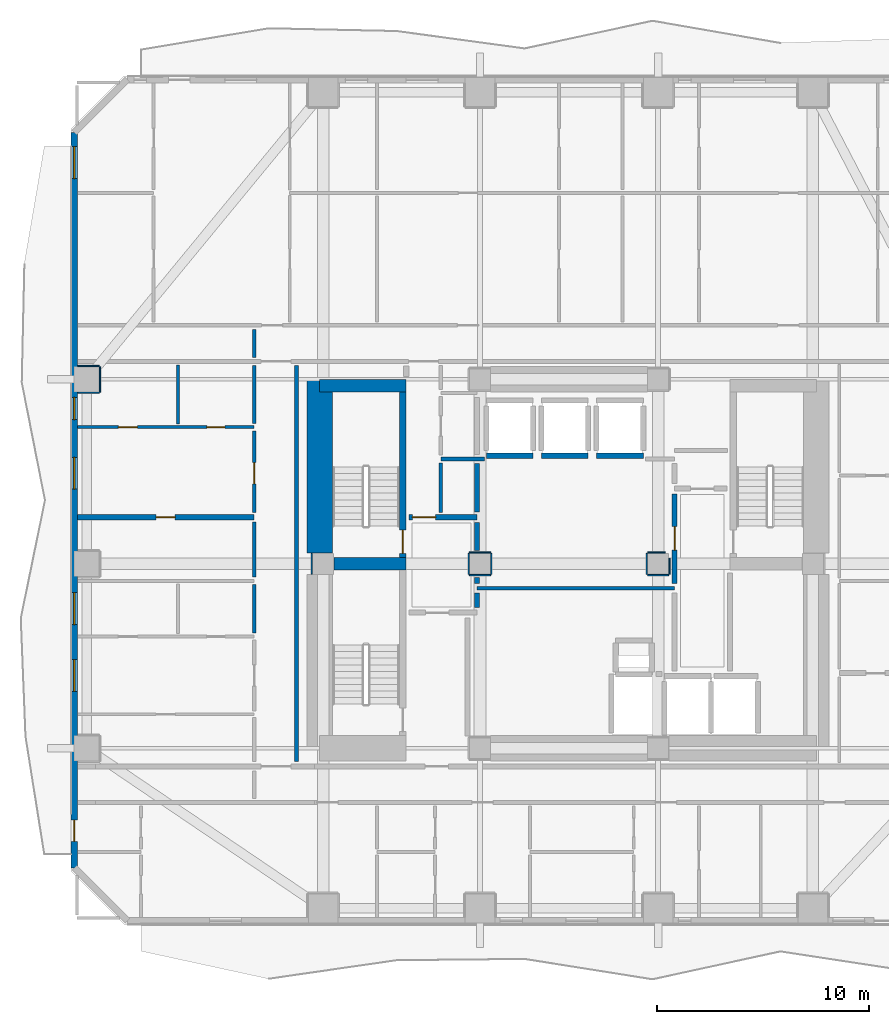
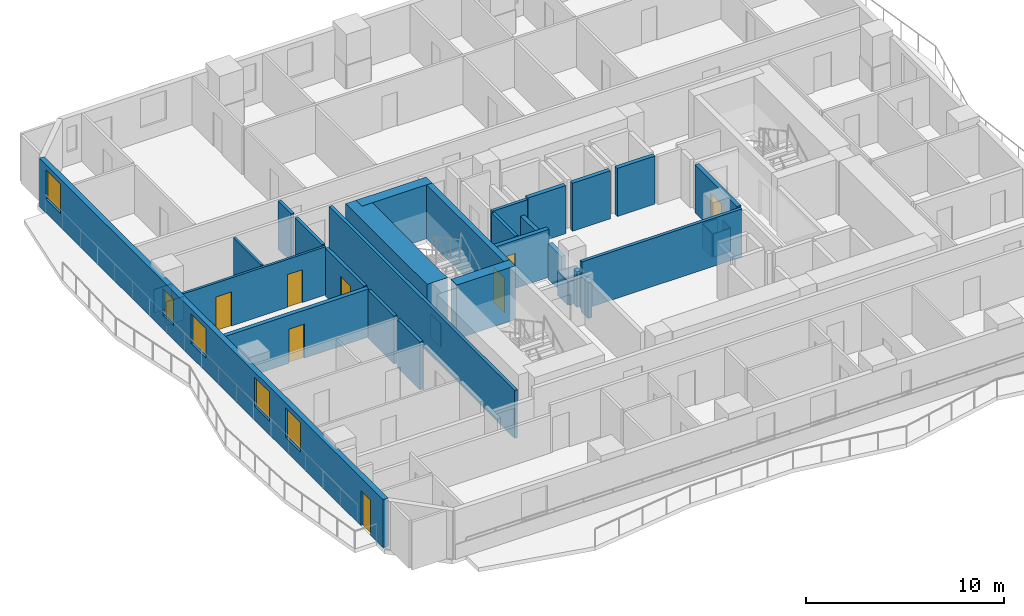
# One storey, part 4 of 12: 38 walls, 8 doors, 5 windows, 13 openings.
"""IFC4 building model written with IfcOpenShell, lengths in metres."""

from ifc_helpers import new_model, si_unit, direction, frame, frame_2d, origin, place, context, subcontext, project, spatial, rectangle, extrude, material, layer, layer_set, type_object, element, fill, save


model = new_model("IFC4")

# Units and contexts
model_context = context("Model", 3, precision=1e-05, world=origin(), true_north=direction((0.0, 1.0)))
body_context = subcontext(model_context, "Body", "Model", "MODEL_VIEW")
ifc_project = project(units=[si_unit("LENGTHUNIT", "METRE"), si_unit("AREAUNIT", "SQUARE_METRE"), si_unit("VOLUMEUNIT", "CUBIC_METRE"), si_unit("PLANEANGLEUNIT", "RADIAN"), si_unit("MASSUNIT", "GRAM", prefix="KILO")], contexts=[model_context])

# Site, building, storey
site_placement = place(None, origin())
site = spatial("IfcSite", under=ifc_project, at=site_placement, CompositionType="ELEMENT")
building_placement = place(site_placement, origin())
building = spatial("IfcBuilding", under=site, at=building_placement, Name="Solanera Arch Residences", CompositionType="ELEMENT")
storey_placement = place(building_placement, frame((0.0, 0.0, 85.080078125)))
storey = spatial("IfcBuildingStorey", under=building, at=storey_placement, Name="L24", CompositionType="ELEMENT", Elevation=85.080078125)

# Walls
ifc_material_1 = material(Name="Fire-Rated Gypsum Stud Partition", Category="gypsum")
ifc_layer_1 = layer(ifc_material_1, 0.06005859375)
ifc_layer_set_1 = layer_set([ifc_layer_1], Name="Fire-Rated Gypsum Stud Partition")
wall_type_1 = type_object("IfcWallType", Name="Column Acoustic Furring Wall 60", PredefinedType="PARTITIONING", material=ifc_layer_set_1)
wall_1_placement = place(storey_placement, frame((12.867919921875, 30.2099609375, 0.0), z_axis=(0.0, 0.0, 1.0), x_axis=(0.0, 1.0, 0.0)))
element("IfcWall", 1, at=wall_1_placement, inside=storey, type_object=wall_type_1, Name="L24 Column Furring 5W", PredefinedType="PARTITIONING", context=body_context, shape_type="SweptSolid", body=[
    extrude(rectangle(XDim=0.97998046875, YDim=0.06005859375, at=frame_2d((0.489990234375, 0.0))), origin(), (0.0, 0.0, 1.0), 1.449951171875),
])
for number, where, z_axis, x_axis, name in (
    (2, (20.300048828125, 30.16796875, 0.0), (0.0, 0.0, 1.0), (1.0, 0.0, 0.0), "L24 Column Furring 7S"),
    (3, (20.300048828125, 31.23193359375, 0.0), (0.0, 0.0, 1.0), (1.0, 0.0, 0.0), "L24 Column Furring 7N"),
    (4, (20.26806640625, 30.199951171875, 0.0), (0.0, 0.0, 1.0), (0.0, 1.0, 0.0), "L24 Column Furring 7W"),
    (5, (21.33203125, 30.199951171875, 0.0), (0.0, 0.0, 1.0), (0.0, 1.0, 0.0), "L24 Column Furring 7E"),
    (6, (28.699951171875, 30.16796875, 0.0), (0.0, 0.0, 1.0), (1.0, 0.0, 0.0), "L24 Column Furring 8S"),
):
    element("IfcWall", number, at=place(storey_placement, frame(where, z_axis=z_axis, x_axis=x_axis)), inside=storey, type_object=wall_type_1, Name=name, PredefinedType="PARTITIONING", context=body_context, shape_type="SweptSolid", body=[
        extrude(rectangle(XDim=1.0, YDim=0.06005859375, at=frame_2d((0.5, 0.0))), origin(), (0.0, 0.0, 1.0), 1.449951171875),
    ])
wall_2_placement = place(storey_placement, frame((28.699951171875, 31.23193359375, 0.0), z_axis=(0.0, 0.0, 1.0), x_axis=(1.0, 0.0, 0.0)))
element("IfcWall", 7, at=wall_2_placement, inside=storey, type_object=wall_type_1, Name="L24 Column Furring 8N", PredefinedType="PARTITIONING", context=body_context, shape_type="SweptSolid", body=[
    extrude(rectangle(XDim=0.841064453125, YDim=0.06005859375, at=frame_2d((0.42041015625, 0.0))), origin(), (0.0, 0.0, 1.0), 1.449951171875),
])
wall_3_placement = place(storey_placement, frame((28.66796875, 30.199951171875, 0.0), z_axis=(0.0, 0.0, 1.0), x_axis=(0.0, 1.0, 0.0)))
element("IfcWall", 8, at=wall_3_placement, inside=storey, type_object=wall_type_1, Name="L24 Column Furring 8W", PredefinedType="PARTITIONING", context=body_context, shape_type="SweptSolid", body=[
    extrude(rectangle(XDim=1.0, YDim=0.06005859375, at=frame_2d((0.5, 0.0))), origin(), (0.0, 0.0, 1.0), 1.449951171875),
])
wall_4_placement = place(storey_placement, frame((29.73193359375, 30.199951171875, 0.0), z_axis=(0.0, 0.0, 1.0), x_axis=(0.0, 1.0, 0.0)))
element("IfcWall", 9, at=wall_4_placement, inside=storey, type_object=wall_type_1, Name="L24 Column Furring 8E", PredefinedType="PARTITIONING", context=body_context, shape_type="SweptSolid", body=[
    extrude(rectangle(XDim=0.77197265625, YDim=0.06005859375, at=frame_2d((0.385986328125, 0.0))), origin(), (0.0, 0.0, 1.0), 1.449951171875),
])
for number, where, z_axis, x_axis, name in (
    (10, (1.830078125, 38.76806640625, 0.0), (0.0, 0.0, 1.0), (1.0, 0.0, 0.0), "L24 Column Furring 21S"),
    (11, (1.830078125, 40.031982421875, 0.0), (0.0, 0.0, 1.0), (1.0, 0.0, 0.0), "L24 Column Furring 21N"),
):
    element("IfcWall", number, at=place(storey_placement, frame(where, z_axis=z_axis, x_axis=x_axis)), inside=storey, type_object=wall_type_1, Name=name, PredefinedType="PARTITIONING", context=body_context, shape_type="SweptSolid", body=[
        extrude(rectangle(XDim=1.02001953125, YDim=0.06005859375, at=frame_2d((0.510009765625, 0.0))), origin(), (0.0, 0.0, 1.0), 1.449951171875),
    ])
wall_5_placement = place(storey_placement, frame((2.882080078125, 38.800048828125, 0.0), z_axis=(0.0, 0.0, 1.0), x_axis=(0.0, 1.0, 0.0)))
element("IfcWall", 12, at=wall_5_placement, inside=storey, type_object=wall_type_1, Name="L24 Column Furring 21E", PredefinedType="PARTITIONING", context=body_context, shape_type="SweptSolid", body=[
    extrude(rectangle(XDim=1.199951171875, YDim=0.06005859375, at=frame_2d((0.60009765625, 0.0))), origin(), (0.0, 0.0, 1.0), 1.449951171875),
])
ifc_material_2 = material(Name="Concrete C55/67 (f'c = 60 MPa)", Category="concrete")
ifc_layer_2 = layer(ifc_material_2, 1.199951171875)
ifc_layer_set_2 = layer_set([ifc_layer_2], Name="Concrete C55/67 (f'c = 60 MPa)")
wall_type_2 = type_object("IfcWallType", Name="Core Shear Wall CW-1200", PredefinedType="SHEAR", material=ifc_layer_set_2)
wall_6_placement = place(storey_placement, frame((13.239990234375, 31.205078125, 0.0), z_axis=(0.0, 0.0, 1.0), x_axis=(0.0, 1.0, 0.0)))
element("IfcWall", 13, at=wall_6_placement, inside=storey, type_object=wall_type_2, Name="L24 West Core North Shear Wall", PredefinedType="SHEAR", context=body_context, shape_type="SweptSolid", body=[
    extrude(rectangle(XDim=8.19482421875, YDim=1.199951171875, at=frame_2d((4.097412109375, 0.0))), origin(), (0.0, 0.0, 1.0), 3.31982421875),
])

# Wall, opening, door
ifc_material_3 = material(Name="Concrete C40/50 (f'c = 45 MPa)", Category="concrete")
ifc_layer_3 = layer(ifc_material_3, 0.320068359375)
ifc_layer_set_3 = layer_set([ifc_layer_3], Name="Concrete C40/50 (f'c = 45 MPa)")
wall_type_3 = type_object("IfcWallType", Name="Core Shear Wall CW-320", PredefinedType="SHEAR", material=ifc_layer_set_3)
wall_7_placement = place(storey_placement, frame((17.159912109375, 31.0, 0.0), z_axis=(0.0, 0.0, 1.0), x_axis=(0.0, 1.0, 0.0)))
wall_7 = element("IfcWall", 14, at=wall_7_placement, inside=storey, type_object=wall_type_3, Name="L24 Stair ST-T1 East Shear Wall", PredefinedType="SHEAR", context=body_context, shape_type="SweptSolid", body=[
    extrude(rectangle(XDim=7.800048828125, YDim=0.320068359375, at=frame_2d((3.89990234375, 0.0))), origin(), (0.0, 0.0, 1.0), 3.31982421875),
])
opening_1_placement = place(wall_7_placement, frame((0.18994140625, 0.0, 0.0)))
opening_1 = element("IfcOpeningElement", 15, at=opening_1_placement, cuts=wall_7, Name="Opening DF-01", PredefinedType="OPENING", context=body_context, shape_type="SweptSolid", body=[
    extrude(rectangle(XDim=1.10009765625, YDim=2.14990234375, at=frame_2d((0.550048828125, 1.074951171875))), frame((0.0, 0.169921875, 0.0), z_axis=(0.0, -1.0, 0.0), x_axis=(1.0, 0.0, 0.0)), (0.0, 0.0, 1.0), 0.3401),
])
ifc_material_4 = material(Name="Fire-Rated Architectural Hardwood", Category="wood")
door_type_1 = type_object("IfcDoorType", Name="Stair Exit Fire Door DF-01", OperationType="NOTDEFINED", PredefinedType="DOOR", material=ifc_material_4)
door_1_placement = place(opening_1_placement, origin())
door_1 = element("IfcDoor", 16, at=door_1_placement, inside=storey, type_object=door_type_1, Name="DR-L24-STAIR-ST-T1", OperationType="SINGLE_SWING_LEFT", OverallHeight=2.14990234375, OverallWidth=1.10009765625, PredefinedType="DOOR", context=body_context, shape_type="SweptSolid", body=[
    extrude(rectangle(XDim=1.10009765625, YDim=2.14990234375, at=frame_2d((0.550048828125, 1.074951171875))), frame((0.0, 0.02490234375, 0.0), z_axis=(0.0, -1.0, 0.0), x_axis=(1.0, 0.0, 0.0)), (0.0, 0.0, 1.0), 0.050048828125),
])
fill(opening_1, door_1)

# Walls
ifc_material_5 = material(Name="Concrete C40/50 (f'c = 45 MPa)", Category="concrete")
ifc_layer_4 = layer(ifc_material_5, 0.60009765625)
ifc_layer_set_4 = layer_set([ifc_layer_4], Name="Concrete C40/50 (f'c = 45 MPa)")
wall_type_4 = type_object("IfcWallType", Name="Core Shear Wall CW-600", PredefinedType="SHEAR", material=ifc_layer_set_4)
wall_8_placement = place(storey_placement, frame((13.239990234375, 39.10009765625, 0.0), z_axis=(0.0, 0.0, 1.0), x_axis=(1.0, 0.0, 0.0)))
element("IfcWall", 17, at=wall_8_placement, inside=storey, type_object=wall_type_4, Name="L24 North-West Core Shear Wall", PredefinedType="SHEAR", context=body_context, shape_type="SweptSolid", body=[
    extrude(rectangle(XDim=4.080078125, YDim=0.60009765625, at=frame_2d((2.0400390625, 0.0))), origin(), (0.0, 0.0, 1.0), 3.31982421875),
])
wall_9_placement = place(storey_placement, frame((13.905029296875, 30.699951171875, 0.0), z_axis=(0.0, 0.0, 1.0), x_axis=(1.0, 0.0, 0.0)))
element("IfcWall", 18, at=wall_9_placement, inside=storey, type_object=wall_type_4, Name="L24 West Stair Divider Shear Wall", PredefinedType="SHEAR", context=body_context, shape_type="SweptSolid", body=[
    extrude(rectangle(XDim=3.4150390625, YDim=0.60009765625, at=frame_2d((1.70751953125, 0.0))), origin(), (0.0, 0.0, 1.0), 3.31982421875),
])
ifc_material_6 = material(Name="Autoclaved Aerated Concrete Blockwork", Category="masonry")
ifc_layer_5 = layer(ifc_material_6, 0.179931640625)
ifc_layer_set_5 = layer_set([ifc_layer_5], Name="Autoclaved Aerated Concrete Blockwork")
wall_type_5 = type_object("IfcWallType", Name="Corridor Fire Partition 180", PredefinedType="PARTITIONING", material=ifc_layer_set_5)
wall_10_placement = place(storey_placement, frame((20.64990234375, 29.550048828125, 0.0), z_axis=(0.0, 0.0, 1.0), x_axis=(1.0, 0.0, 0.0)))
element("IfcWall", 19, at=wall_10_placement, inside=storey, type_object=wall_type_5, Name="L24 Interior Partition H9", PredefinedType="PARTITIONING", context=body_context, shape_type="SweptSolid", body=[
    extrude(rectangle(XDim=9.3251953125, YDim=0.179931640625, at=frame_2d((4.66259765625, 0.0))), origin(), (0.0, 0.0, 1.0), 2.9599609375),
])
wall_11_placement = place(storey_placement, frame((18.949951171875, 35.64990234375, 0.0), z_axis=(0.0, 0.0, 1.0), x_axis=(1.0, 0.0, 0.0)))
element("IfcWall", 20, at=wall_11_placement, inside=storey, type_object=wall_type_5, Name="L24 Interior Partition H10 1", PredefinedType="PARTITIONING", context=body_context, shape_type="SweptSolid", body=[
    extrude(rectangle(XDim=2.05712890625, YDim=0.179931640625, at=frame_2d((1.028564453125, 0.0))), origin(), (0.0, 0.0, 1.0), 2.9599609375),
])
wall_12_placement = place(storey_placement, frame((10.14990234375, 27.443115234375, 0.0), z_axis=(0.0, 0.0, 1.0), x_axis=(0.0, 1.0, 0.0)))
element("IfcWall", 21, at=wall_12_placement, inside=storey, type_object=wall_type_5, Name="L24 Interior Partition V6 4", PredefinedType="PARTITIONING", context=body_context, shape_type="SweptSolid", body=[
    extrude(rectangle(XDim=2.288818359375, YDim=0.179931640625, at=frame_2d((1.14453125, 0.0))), origin(), (0.0, 0.0, 1.0), 2.9599609375),
])
wall_13_placement = place(storey_placement, frame((10.14990234375, 30.068115234375, 0.0), z_axis=(0.0, 0.0, 1.0), x_axis=(0.0, 1.0, 0.0)))
element("IfcWall", 22, at=wall_13_placement, inside=storey, type_object=wall_type_5, Name="L24 Interior Partition V6 5", PredefinedType="PARTITIONING", context=body_context, shape_type="SweptSolid", body=[
    extrude(rectangle(XDim=2.61376953125, YDim=0.179931640625, at=frame_2d((1.306884765625, 0.0))), origin(), (0.0, 0.0, 1.0), 2.9599609375),
])

# Wall, opening, door
wall_14_placement = place(storey_placement, frame((10.14990234375, 33.117919921875, 0.0), z_axis=(0.0, 0.0, 1.0), x_axis=(0.0, 1.0, 0.0)))
wall_14 = element("IfcWall", 23, at=wall_14_placement, inside=storey, type_object=wall_type_5, Name="L24 Interior Partition V6 6", PredefinedType="PARTITIONING", context=body_context, shape_type="SweptSolid", body=[
    extrude(rectangle(XDim=3.859130859375, YDim=0.179931640625, at=frame_2d((1.9296875, 0.0))), origin(), (0.0, 0.0, 1.0), 2.9599609375),
])
opening_2_placement = place(wall_14_placement, frame((1.35302734375, 0.0, 0.0)))
opening_2 = element("IfcOpeningElement", 24, at=opening_2_placement, cuts=wall_14, Name="Opening DI-01", PredefinedType="OPENING", context=body_context, shape_type="SweptSolid", body=[
    extrude(rectangle(XDim=1.0, YDim=2.14990234375, at=frame_2d((0.5, 1.074951171875))), frame((0.0, 0.10009765625, 0.0), z_axis=(0.0, -1.0, 0.0), x_axis=(1.0, 0.0, 0.0)), (0.0, 0.0, 1.0), 0.1999),
])
ifc_material_7 = material(Name="Fire-Rated Architectural Hardwood", Category="wood")
door_type_2 = type_object("IfcDoorType", Name="Unit Entrance Fire Door DI-01", OperationType="NOTDEFINED", PredefinedType="DOOR", material=ifc_material_7)
door_2_placement = place(opening_2_placement, origin())
door_2 = element("IfcDoor", 25, at=door_2_placement, inside=storey, type_object=door_type_2, Name="DR-L24-IN-045", OperationType="SINGLE_SWING_LEFT", OverallHeight=2.14990234375, OverallWidth=1.0, PredefinedType="DOOR", context=body_context, shape_type="SweptSolid", body=[
    extrude(rectangle(XDim=1.0, YDim=2.14990234375, at=frame_2d((0.5, 1.074951171875))), frame((0.0, 0.02490234375, 0.0), z_axis=(0.0, -1.0, 0.0), x_axis=(1.0, 0.0, 0.0)), (0.0, 0.0, 1.0), 0.050048828125),
])
fill(opening_2, door_2)

# Walls
wall_15_placement = place(storey_placement, frame((10.14990234375, 37.31298828125, 0.0), z_axis=(0.0, 0.0, 1.0), x_axis=(0.0, 1.0, 0.0)))
element("IfcWall", 26, at=wall_15_placement, inside=storey, type_object=wall_type_5, Name="L24 Interior Partition V6 7", PredefinedType="PARTITIONING", context=body_context, shape_type="SweptSolid", body=[
    extrude(rectangle(XDim=2.7490234375, YDim=0.179931640625, at=frame_2d((1.37451171875, 0.0))), origin(), (0.0, 0.0, 1.0), 2.9599609375),
])
wall_16_placement = place(storey_placement, frame((10.14990234375, 40.43798828125, 0.0), z_axis=(0.0, 0.0, 1.0), x_axis=(0.0, 1.0, 0.0)))
element("IfcWall", 27, at=wall_16_placement, inside=storey, type_object=wall_type_5, Name="L24 Interior Partition V6 8", PredefinedType="PARTITIONING", context=body_context, shape_type="SweptSolid", body=[
    extrude(rectangle(XDim=1.323974609375, YDim=0.179931640625, at=frame_2d((0.662109375, 0.0))), origin(), (0.0, 0.0, 1.0), 2.9599609375),
])
wall_17_placement = place(storey_placement, frame((12.14990234375, 21.367919921875, 0.0), z_axis=(0.0, 0.0, 1.0), x_axis=(0.0, 1.0, 0.0)))
element("IfcWall", 28, at=wall_17_placement, inside=storey, type_object=wall_type_5, Name="L24 Interior Partition V7", PredefinedType="PARTITIONING", context=body_context, shape_type="SweptSolid", body=[
    extrude(rectangle(XDim=18.694091796875, YDim=0.179931640625, at=frame_2d((9.34716796875, 0.0))), origin(), (0.0, 0.0, 1.0), 2.9599609375),
])
wall_18_placement = place(storey_placement, frame((18.949951171875, 33.117919921875, 0.0), z_axis=(0.0, 0.0, 1.0), x_axis=(0.0, 1.0, 0.0)))
element("IfcWall", 29, at=wall_18_placement, inside=storey, type_object=wall_type_5, Name="L24 Interior Partition V8 1", PredefinedType="PARTITIONING", context=body_context, shape_type="SweptSolid", body=[
    extrude(rectangle(XDim=2.343994140625, YDim=0.179931640625, at=frame_2d((1.171875, 0.0))), origin(), (0.0, 0.0, 1.0), 2.9599609375),
])

# Wall, openings, door, windows
ifc_material_8 = material(Name="Precast Concrete C35/45", Category="concrete")
ifc_layer_6 = layer(ifc_material_8, 0.300048828125)
ifc_layer_set_6 = layer_set([ifc_layer_6], Name="Precast Concrete C35/45")
wall_type_6 = type_object("IfcWallType", Name="Exterior Wall Precast Masonry-Frame 300", PredefinedType="STANDARD", material=ifc_layer_set_6)
wall_19_placement = place(storey_placement, frame((1.6650390625, 16.364990234375, 0.0), z_axis=(0.0, 0.0, 1.0), x_axis=(0.0, 1.0, 0.0)))
wall_19 = element("IfcWall", 30, at=wall_19_placement, inside=storey, type_object=wall_type_6, Name="L24 Tower Exterior Precast Masonry-Frame Wall W", PredefinedType="STANDARD", context=body_context, shape_type="SweptSolid", body=[
    extrude(rectangle(XDim=34.669921875, YDim=0.300048828125, at=frame_2d((17.3349609375, 0.0))), origin(), (0.0, 0.0, 1.0), 2.9599609375),
])
opening_3_placement = place(wall_19_placement, frame((1.2509765625, 0.0, 0.0)))
opening_3 = element("IfcOpeningElement", 31, at=opening_3_placement, cuts=wall_19, Name="Opening DB-01", PredefinedType="OPENING", context=body_context, shape_type="SweptSolid", body=[
    extrude(rectangle(XDim=1.0, YDim=2.14990234375, at=frame_2d((0.5, 1.074951171875))), frame((0.0, 0.159912109375, 0.0), z_axis=(0.0, -1.0, 0.0), x_axis=(1.0, 0.0, 0.0)), (0.0, 0.0, 1.0), 0.32),
])
opening_4_placement = place(wall_19_placement, frame((32.508056640625, 0.0, 0.85009765625)))
opening_4 = element("IfcOpeningElement", 32, at=opening_4_placement, cuts=wall_19, Name="Opening W-02", PredefinedType="OPENING", context=body_context, shape_type="SweptSolid", body=[
    extrude(rectangle(XDim=1.5, YDim=1.800048828125, at=frame_2d((0.75, 0.89990234375))), frame((0.0, 0.159912109375, 0.0), z_axis=(0.0, -1.0, 0.0), x_axis=(1.0, 0.0, 0.0)), (0.0, 0.0, 1.0), 0.32),
])
opening_5_placement = place(wall_19_placement, frame((8.322998046875, 0.0, 0.85009765625)))
opening_5 = element("IfcOpeningElement", 33, at=opening_5_placement, cuts=wall_19, Name="Opening W-02", PredefinedType="OPENING", context=body_context, shape_type="SweptSolid", body=[
    extrude(rectangle(XDim=1.5, YDim=1.800048828125, at=frame_2d((0.75, 0.89990234375))), frame((0.0, 0.159912109375, 0.0), z_axis=(0.0, -1.0, 0.0), x_axis=(1.0, 0.0, 0.0)), (0.0, 0.0, 1.0), 0.32),
])
opening_6_placement = place(wall_19_placement, frame((11.472900390625, 0.0, 0.85009765625)))
opening_6 = element("IfcOpeningElement", 34, at=opening_6_placement, cuts=wall_19, Name="Opening W-02", PredefinedType="OPENING", context=body_context, shape_type="SweptSolid", body=[
    extrude(rectangle(XDim=1.5, YDim=1.800048828125, at=frame_2d((0.75, 0.89990234375))), frame((0.0, 0.159912109375, 0.0), z_axis=(0.0, -1.0, 0.0), x_axis=(1.0, 0.0, 0.0)), (0.0, 0.0, 1.0), 0.32),
])
opening_7_placement = place(wall_19_placement, frame((17.85693359375, 0.0, 0.85009765625)))
opening_7 = element("IfcOpeningElement", 35, at=opening_7_placement, cuts=wall_19, Name="Opening W-02", PredefinedType="OPENING", context=body_context, shape_type="SweptSolid", body=[
    extrude(rectangle(XDim=1.5, YDim=1.800048828125, at=frame_2d((0.75, 0.89990234375))), frame((0.0, 0.159912109375, 0.0), z_axis=(0.0, -1.0, 0.0), x_axis=(1.0, 0.0, 0.0)), (0.0, 0.0, 1.0), 0.32),
])
opening_8_placement = place(wall_19_placement, frame((21.133056640625, 0.0, 0.85009765625)))
opening_8 = element("IfcOpeningElement", 36, at=opening_8_placement, cuts=wall_19, Name="Opening W-07", PredefinedType="OPENING", context=body_context, shape_type="SweptSolid", body=[
    extrude(rectangle(XDim=1.050048828125, YDim=1.64990234375, at=frame_2d((0.52490234375, 0.824951171875))), frame((0.0, 0.159912109375, 0.0), z_axis=(0.0, -1.0, 0.0), x_axis=(1.0, 0.0, 0.0)), (0.0, 0.0, 1.0), 0.32),
])
ifc_material_9 = material(Name="Anodised Aluminium Alloy 6063-T6", Category="aluminium")
door_type_3 = type_object("IfcDoorType", Name="Glazed Balcony Swing Door DB-01", OperationType="NOTDEFINED", PredefinedType="DOOR", material=ifc_material_9)
door_3_placement = place(opening_3_placement, origin())
door_3 = element("IfcDoor", 37, at=door_3_placement, inside=storey, type_object=door_type_3, Name="DR-L24-OUT-04", OperationType="SINGLE_SWING_LEFT", OverallHeight=2.14990234375, OverallWidth=1.0, PredefinedType="DOOR", context=body_context, shape_type="SweptSolid", body=[
    extrude(rectangle(XDim=1.0, YDim=2.14990234375, at=frame_2d((0.5, 1.074951171875))), frame((0.0, 0.02490234375, 0.0), z_axis=(0.0, -1.0, 0.0), x_axis=(1.0, 0.0, 0.0)), (0.0, 0.0, 1.0), 0.050048828125),
])
fill(opening_3, door_3)
ifc_material_10 = material(Name="Double Glazed Low-E Laminated Glass", Category="glass")
window_type_1 = type_object("IfcWindowType", Name="Punched Window W-02", PartitioningType="DOUBLE_PANEL_VERTICAL", PredefinedType="WINDOW", material=ifc_material_10)
window_1_placement = place(opening_4_placement, origin())
window_1 = element("IfcWindow", 38, at=window_1_placement, inside=storey, type_object=window_type_1, Name="L24 2405-BR1 Punched Window", OverallHeight=1.800048828125, OverallWidth=1.5, PartitioningType="SINGLE_PANEL", PredefinedType="WINDOW", context=body_context, shape_type="SweptSolid", body=[
    extrude(rectangle(XDim=1.5, YDim=1.800048828125, at=frame_2d((0.75, 0.89990234375))), frame((0.0, 0.030029296875, 0.0), z_axis=(0.0, -1.0, 0.0), x_axis=(1.0, 0.0, 0.0)), (0.0, 0.0, 1.0), 0.06005859375),
])
fill(opening_4, window_1)
window_2_placement = place(opening_5_placement, origin())
window_2 = element("IfcWindow", 39, at=window_2_placement, inside=storey, type_object=window_type_1, Name="L24 2408-LIV Punched Window", OverallHeight=1.800048828125, OverallWidth=1.5, PartitioningType="SINGLE_PANEL", PredefinedType="WINDOW", context=body_context, shape_type="SweptSolid", body=[
    extrude(rectangle(XDim=1.5, YDim=1.800048828125, at=frame_2d((0.75, 0.89990234375))), frame((0.0, 0.030029296875, 0.0), z_axis=(0.0, -1.0, 0.0), x_axis=(1.0, 0.0, 0.0)), (0.0, 0.0, 1.0), 0.06005859375),
])
fill(opening_5, window_2)
window_3_placement = place(opening_6_placement, origin())
window_3 = element("IfcWindow", 40, at=window_3_placement, inside=storey, type_object=window_type_1, Name="L24 2408-BR1 Punched Window", OverallHeight=1.800048828125, OverallWidth=1.5, PartitioningType="SINGLE_PANEL", PredefinedType="WINDOW", context=body_context, shape_type="SweptSolid", body=[
    extrude(rectangle(XDim=1.5, YDim=1.800048828125, at=frame_2d((0.75, 0.89990234375))), frame((0.0, 0.030029296875, 0.0), z_axis=(0.0, -1.0, 0.0), x_axis=(1.0, 0.0, 0.0)), (0.0, 0.0, 1.0), 0.06005859375),
])
fill(opening_6, window_3)
window_4_placement = place(opening_7_placement, origin())
window_4 = element("IfcWindow", 41, at=window_4_placement, inside=storey, type_object=window_type_1, Name="L24 2409-LIV Punched Window", OverallHeight=1.800048828125, OverallWidth=1.5, PartitioningType="SINGLE_PANEL", PredefinedType="WINDOW", context=body_context, shape_type="SweptSolid", body=[
    extrude(rectangle(XDim=1.5, YDim=1.800048828125, at=frame_2d((0.75, 0.89990234375))), frame((0.0, 0.030029296875, 0.0), z_axis=(0.0, -1.0, 0.0), x_axis=(1.0, 0.0, 0.0)), (0.0, 0.0, 1.0), 0.06005859375),
])
fill(opening_7, window_4)
ifc_material_11 = material(Name="Double Glazed Low-E Laminated Glass", Category="glass")
window_type_2 = type_object("IfcWindowType", Name="Punched Window W-07", PartitioningType="SINGLE_PANEL", PredefinedType="WINDOW", material=ifc_material_11)
window_5_placement = place(opening_8_placement, origin())
window_5 = element("IfcWindow", 42, at=window_5_placement, inside=storey, type_object=window_type_2, Name="L24 2409-BR1 Punched Window", OverallHeight=1.64990234375, OverallWidth=1.050048828125, PartitioningType="SINGLE_PANEL", PredefinedType="WINDOW", context=body_context, shape_type="SweptSolid", body=[
    extrude(rectangle(XDim=1.050048828125, YDim=1.64990234375, at=frame_2d((0.52490234375, 0.824951171875))), frame((0.0, 0.030029296875, 0.0), z_axis=(0.0, -1.0, 0.0), x_axis=(1.0, 0.0, 0.0)), (0.0, 0.0, 1.0), 0.06005859375),
])
fill(opening_8, window_5)

# Walls
ifc_material_12 = material(Name="Autoclaved Aerated Concrete Blockwork", Category="masonry")
ifc_layer_7 = layer(ifc_material_12, 0.239990234375)
ifc_layer_set_7 = layer_set([ifc_layer_7], Name="Autoclaved Aerated Concrete Blockwork")
wall_type_7 = type_object("IfcWallType", Name="Shaft Wall Fire-Rated 240", PredefinedType="PARTITIONING", material=ifc_layer_set_7)
for number, where, z_axis, x_axis, name in (
    (43, (21.10009765625, 35.800048828125, 0.0), (0.0, 0.0, 1.0), (1.0, 0.0, 0.0), "L24 Lift PL-L1 Hoistway Wall S"),
    (44, (23.699951171875, 35.800048828125, 0.0), (0.0, 0.0, 1.0), (1.0, 0.0, 0.0), "L24 Lift PL-L2 Hoistway Wall S"),
    (45, (26.300048828125, 35.800048828125, 0.0), (0.0, 0.0, 1.0), (1.0, 0.0, 0.0), "L24 Lift PL-L3 Hoistway Wall S"),
):
    element("IfcWall", number, at=place(storey_placement, frame(where, z_axis=z_axis, x_axis=x_axis)), inside=storey, type_object=wall_type_7, Name=name, PredefinedType="PARTITIONING", context=body_context, shape_type="SweptSolid", body=[
        extrude(rectangle(XDim=2.199951171875, YDim=0.239990234375, at=frame_2d((1.10009765625, 0.0))), origin(), (0.0, 0.0, 1.0), 2.9599609375),
    ])

# Wall, opening, door
wall_20_placement = place(storey_placement, frame((1.826904296875, 32.89990234375, 0.0), z_axis=(0.0, 0.0, 1.0), x_axis=(1.0, 0.0, 0.0)))
wall_20 = element("IfcWall", 46, at=wall_20_placement, inside=storey, type_object=wall_type_7, Name="L24 Interior Partition H5", PredefinedType="PARTITIONING", context=body_context, shape_type="SweptSolid", body=[
    extrude(rectangle(XDim=8.322998046875, YDim=0.239990234375, at=frame_2d((4.16162109375, 0.0))), origin(), (0.0, 0.0, 1.0), 2.9599609375),
])
opening_9_placement = place(wall_20_placement, frame((3.697998046875, 0.0, 0.0)))
opening_9 = element("IfcOpeningElement", 47, at=opening_9_placement, cuts=wall_20, Name="Opening DI-02", PredefinedType="OPENING", context=body_context, shape_type="SweptSolid", body=[
    extrude(rectangle(XDim=0.89990234375, YDim=2.10009765625, at=frame_2d((0.449951171875, 1.050048828125))), frame((0.0, 0.1298828125, 0.0), z_axis=(0.0, -1.0, 0.0), x_axis=(1.0, 0.0, 0.0)), (0.0, 0.0, 1.0), 0.26),
])
ifc_material_13 = material(Name="Fire-Rated Architectural Hardwood", Category="wood")
door_type_4 = type_object("IfcDoorType", Name="Suite Room Swing Door DI-02", OperationType="NOTDEFINED", PredefinedType="DOOR", material=ifc_material_13)
door_4_placement = place(opening_9_placement, origin())
door_4 = element("IfcDoor", 48, at=door_4_placement, inside=storey, type_object=door_type_4, Name="DR-L24-IN-046", OperationType="SINGLE_SWING_RIGHT", OverallHeight=2.10009765625, OverallWidth=0.89990234375, PredefinedType="DOOR", context=body_context, shape_type="SweptSolid", body=[
    extrude(rectangle(XDim=0.89990234375, YDim=2.10009765625, at=frame_2d((0.449951171875, 1.050048828125))), frame((0.0, 0.02490234375, 0.0), z_axis=(0.0, -1.0, 0.0), x_axis=(1.0, 0.0, 0.0)), (0.0, 0.0, 1.0), 0.050048828125),
])
fill(opening_9, door_4)

wall_21_placement = place(storey_placement, frame((17.449951171875, 32.89990234375, 0.0), z_axis=(0.0, 0.0, 1.0), x_axis=(1.0, 0.0, 0.0)))
wall_21 = element("IfcWall", 49, at=wall_21_placement, inside=storey, type_object=wall_type_7, Name="L24 Interior Partition H6", PredefinedType="PARTITIONING", context=body_context, shape_type="SweptSolid", body=[
    extrude(rectangle(XDim=3.199951171875, YDim=0.239990234375, at=frame_2d((1.60009765625, 0.0))), origin(), (0.0, 0.0, 1.0), 2.9599609375),
])
opening_10_placement = place(wall_21_placement, frame((0.158935546875, 0.0, 0.0)))
opening_10 = element("IfcOpeningElement", 50, at=opening_10_placement, cuts=wall_21, Name="Opening DF-02", PredefinedType="OPENING", context=body_context, shape_type="SweptSolid", body=[
    extrude(rectangle(XDim=1.10009765625, YDim=2.14990234375, at=frame_2d((0.550048828125, 1.074951171875))), frame((0.0, 0.1298828125, 0.0), z_axis=(0.0, -1.0, 0.0), x_axis=(1.0, 0.0, 0.0)), (0.0, 0.0, 1.0), 0.26),
])
ifc_material_14 = material(Name="Fire-Rated Architectural Hardwood", Category="wood")
door_type_5 = type_object("IfcDoorType", Name="Firefighting Lobby Fire Door DF-02", OperationType="NOTDEFINED", PredefinedType="DOOR", material=ifc_material_14)
door_5_placement = place(opening_10_placement, origin())
door_5 = element("IfcDoor", 51, at=door_5_placement, inside=storey, type_object=door_type_5, Name="DR-L24-IN-005", OperationType="SINGLE_SWING_LEFT", OverallHeight=2.14990234375, OverallWidth=1.10009765625, PredefinedType="DOOR", context=body_context, shape_type="SweptSolid", body=[
    extrude(rectangle(XDim=1.10009765625, YDim=2.14990234375, at=frame_2d((0.550048828125, 1.074951171875))), frame((0.0, 0.02490234375, 0.0), z_axis=(0.0, -1.0, 0.0), x_axis=(1.0, 0.0, 0.0)), (0.0, 0.0, 1.0), 0.050048828125),
])
fill(opening_10, door_5)

# Walls
wall_22_placement = place(storey_placement, frame((20.64990234375, 28.64794921875, 0.0), z_axis=(0.0, 0.0, 1.0), x_axis=(0.0, 1.0, 0.0)))
element("IfcWall", 52, at=wall_22_placement, inside=storey, type_object=wall_type_7, Name="L24 Interior Partition V3 1", PredefinedType="PARTITIONING", context=body_context, shape_type="SweptSolid", body=[
    extrude(rectangle(XDim=0.68408203125, YDim=0.239990234375, at=frame_2d((0.342041015625, 0.0))), origin(), (0.0, 0.0, 1.0), 2.19482421875),
])
wall_23_placement = place(storey_placement, frame((20.64990234375, 29.76806640625, 0.0), z_axis=(0.0, 0.0, 1.0), x_axis=(0.0, 1.0, 0.0)))
element("IfcWall", 53, at=wall_23_placement, inside=storey, type_object=wall_type_7, Name="L24 Interior Partition V3 2", PredefinedType="PARTITIONING", context=body_context, shape_type="SweptSolid", body=[
    extrude(rectangle(XDim=0.300048828125, YDim=0.239990234375, at=frame_2d((0.14990234375, 0.0))), origin(), (0.0, 0.0, 1.0), 2.19482421875),
])
wall_24_placement = place(storey_placement, frame((20.64990234375, 31.33203125, 0.0), z_axis=(0.0, 0.0, 1.0), x_axis=(0.0, 1.0, 0.0)))
element("IfcWall", 54, at=wall_24_placement, inside=storey, type_object=wall_type_7, Name="L24 Interior Partition V3 3", PredefinedType="PARTITIONING", context=body_context, shape_type="SweptSolid", body=[
    extrude(rectangle(XDim=1.320068359375, YDim=0.239990234375, at=frame_2d((0.66015625, 0.0))), origin(), (0.0, 0.0, 1.0), 2.19482421875),
])
wall_25_placement = place(storey_placement, frame((20.64990234375, 33.14794921875, 0.0), z_axis=(0.0, 0.0, 1.0), x_axis=(0.0, 1.0, 0.0)))
element("IfcWall", 55, at=wall_25_placement, inside=storey, type_object=wall_type_7, Name="L24 Interior Partition V3 4", PredefinedType="PARTITIONING", context=body_context, shape_type="SweptSolid", body=[
    extrude(rectangle(XDim=2.283935546875, YDim=0.239990234375, at=frame_2d((1.14208984375, 0.0))), origin(), (0.0, 0.0, 1.0), 2.19482421875),
])

# Wall, opening, door
wall_26_placement = place(storey_placement, frame((29.97509765625, 29.76806640625, 0.0), z_axis=(0.0, 0.0, 1.0), x_axis=(0.0, 1.0, 0.0)))
wall_26 = element("IfcWall", 56, at=wall_26_placement, inside=storey, type_object=wall_type_7, Name="L24 Interior Partition V4 2", PredefinedType="PARTITIONING", context=body_context, shape_type="SweptSolid", body=[
    extrude(rectangle(XDim=4.23388671875, YDim=0.239990234375, at=frame_2d((2.116943359375, 0.0))), origin(), (0.0, 0.0, 1.0), 2.9599609375),
])
opening_11_placement = place(wall_26_placement, frame((1.58203125, 0.0, 0.0)))
opening_11 = element("IfcOpeningElement", 57, at=opening_11_placement, cuts=wall_26, Name="Opening DF-02", PredefinedType="OPENING", context=body_context, shape_type="SweptSolid", body=[
    extrude(rectangle(XDim=1.10009765625, YDim=2.14990234375, at=frame_2d((0.550048828125, 1.074951171875))), frame((0.0, 0.1298828125, 0.0), z_axis=(0.0, -1.0, 0.0), x_axis=(1.0, 0.0, 0.0)), (0.0, 0.0, 1.0), 0.26),
])
door_6_placement = place(opening_11_placement, origin())
door_6 = element("IfcDoor", 58, at=door_6_placement, inside=storey, type_object=door_type_5, Name="DR-L24-IN-006", OperationType="SINGLE_SWING_RIGHT", OverallHeight=2.14990234375, OverallWidth=1.10009765625, PredefinedType="DOOR", context=body_context, shape_type="SweptSolid", body=[
    extrude(rectangle(XDim=1.10009765625, YDim=2.14990234375, at=frame_2d((0.550048828125, 1.074951171875))), frame((0.0, 0.02490234375, 0.0), z_axis=(0.0, -1.0, 0.0), x_axis=(1.0, 0.0, 0.0)), (0.0, 0.0, 1.0), 0.050048828125),
])
fill(opening_11, door_6)

# Wall, openings, doors
ifc_material_15 = material(Name="Autoclaved Aerated Concrete Blockwork", Category="masonry")
ifc_layer_8 = layer(ifc_material_15, 0.139892578125)
ifc_layer_set_8 = layer_set([ifc_layer_8], Name="Autoclaved Aerated Concrete Blockwork")
wall_type_8 = type_object("IfcWallType", Name="Wet-Room Partition 140", PredefinedType="PARTITIONING", material=ifc_layer_set_8)
wall_27_placement = place(storey_placement, frame((1.826904296875, 37.14501953125, 0.0), z_axis=(0.0, 0.0, 1.0), x_axis=(1.0, 0.0, 0.0)))
wall_27 = element("IfcWall", 59, at=wall_27_placement, inside=storey, type_object=wall_type_8, Name="L24 Interior Partition H23", PredefinedType="PARTITIONING", context=body_context, shape_type="SweptSolid", body=[
    extrude(rectangle(XDim=8.322998046875, YDim=0.139892578125, at=frame_2d((4.16162109375, 0.0))), origin(), (0.0, 0.0, 1.0), 2.9599609375),
])
opening_12_placement = place(wall_27_placement, frame((6.0849609375, 0.0, 0.0)))
opening_12 = element("IfcOpeningElement", 60, at=opening_12_placement, cuts=wall_27, Name="Opening DI-05", PredefinedType="OPENING", context=body_context, shape_type="SweptSolid", body=[
    extrude(rectangle(XDim=0.860107421875, YDim=2.02001953125, at=frame_2d((0.43017578125, 1.010009765625))), frame((0.0, 0.079833984375, 0.0), z_axis=(0.0, -1.0, 0.0), x_axis=(1.0, 0.0, 0.0)), (0.0, 0.0, 1.0), 0.1599),
])
opening_13_placement = place(wall_27_placement, frame((1.9150390625, 0.0, 0.0)))
opening_13 = element("IfcOpeningElement", 61, at=opening_13_placement, cuts=wall_27, Name="Opening DI-03", PredefinedType="OPENING", context=body_context, shape_type="SweptSolid", body=[
    extrude(rectangle(XDim=0.89990234375, YDim=2.10009765625, at=frame_2d((0.449951171875, 1.050048828125))), frame((0.0, 0.079833984375, 0.0), z_axis=(0.0, -1.0, 0.0), x_axis=(1.0, 0.0, 0.0)), (0.0, 0.0, 1.0), 0.1599),
])
ifc_material_16 = material(Name="Fire-Rated Architectural Hardwood", Category="wood")
door_type_6 = type_object("IfcDoorType", Name="Bathroom Swing Door DI-05", OperationType="NOTDEFINED", PredefinedType="DOOR", material=ifc_material_16)
door_7_placement = place(opening_12_placement, origin())
door_7 = element("IfcDoor", 62, at=door_7_placement, inside=storey, type_object=door_type_6, Name="DR-L24-IN-047", OperationType="SINGLE_SWING_LEFT", OverallHeight=2.02001953125, OverallWidth=0.860107421875, PredefinedType="DOOR", context=body_context, shape_type="SweptSolid", body=[
    extrude(rectangle(XDim=0.860107421875, YDim=2.02001953125, at=frame_2d((0.43017578125, 1.010009765625))), frame((0.0, 0.02490234375, 0.0), z_axis=(0.0, -1.0, 0.0), x_axis=(1.0, 0.0, 0.0)), (0.0, 0.0, 1.0), 0.050048828125),
])
fill(opening_12, door_7)
ifc_material_17 = material(Name="Fire-Rated Architectural Hardwood", Category="wood")
door_type_7 = type_object("IfcDoorType", Name="Bedroom Swing Door DI-03", OperationType="NOTDEFINED", PredefinedType="DOOR", material=ifc_material_17)
door_8_placement = place(opening_13_placement, origin())
door_8 = element("IfcDoor", 63, at=door_8_placement, inside=storey, type_object=door_type_7, Name="DR-L24-IN-048", OperationType="SINGLE_SWING_RIGHT", OverallHeight=2.10009765625, OverallWidth=0.89990234375, PredefinedType="DOOR", context=body_context, shape_type="SweptSolid", body=[
    extrude(rectangle(XDim=0.89990234375, YDim=2.10009765625, at=frame_2d((0.449951171875, 1.050048828125))), frame((0.0, 0.02490234375, 0.0), z_axis=(0.0, -1.0, 0.0), x_axis=(1.0, 0.0, 0.0)), (0.0, 0.0, 1.0), 0.050048828125),
])
fill(opening_13, door_8)

# Wall
wall_28_placement = place(storey_placement, frame((6.55908203125, 37.29296875, 0.0), z_axis=(0.0, 0.0, 1.0), x_axis=(0.0, 1.0, 0.0)))
element("IfcWall", 64, at=wall_28_placement, inside=storey, type_object=wall_type_8, Name="L24 Interior Partition V16", PredefinedType="PARTITIONING", context=body_context, shape_type="SweptSolid", body=[
    extrude(rectangle(XDim=2.7890625, YDim=0.139892578125, at=frame_2d((1.39453125, 0.0))), origin(), (0.0, 0.0, 1.0), 2.9599609375),
])

save(model, "model.ifc")
